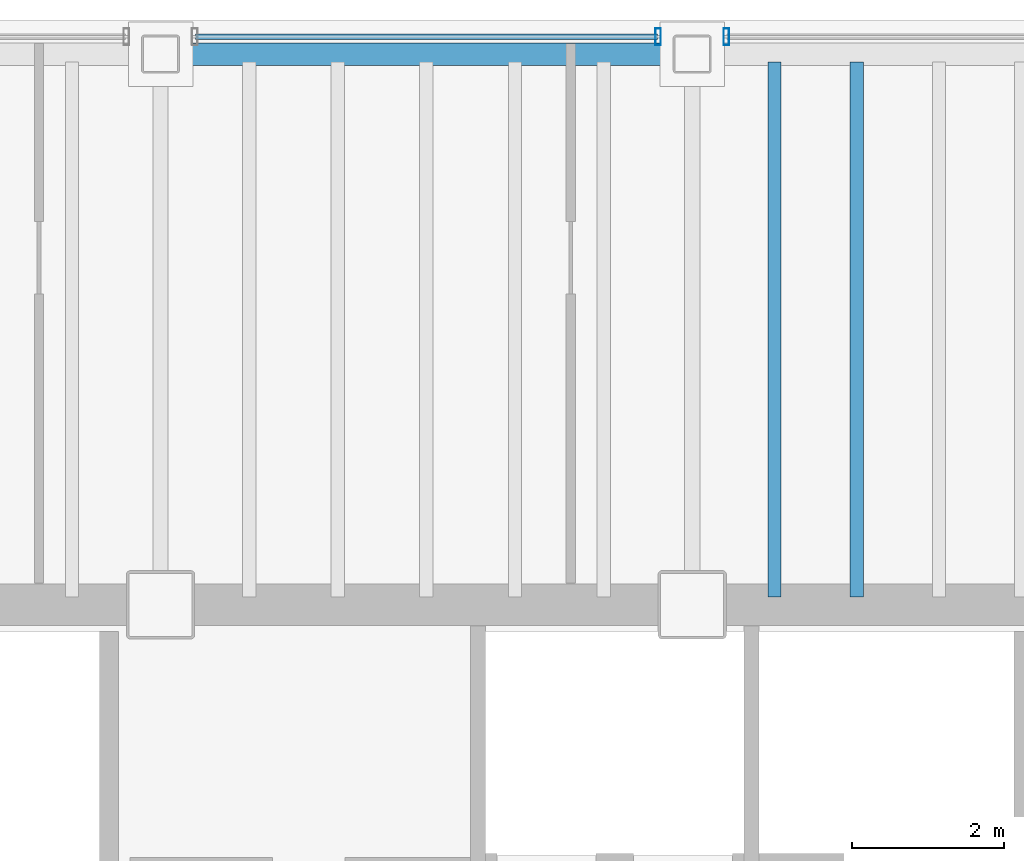
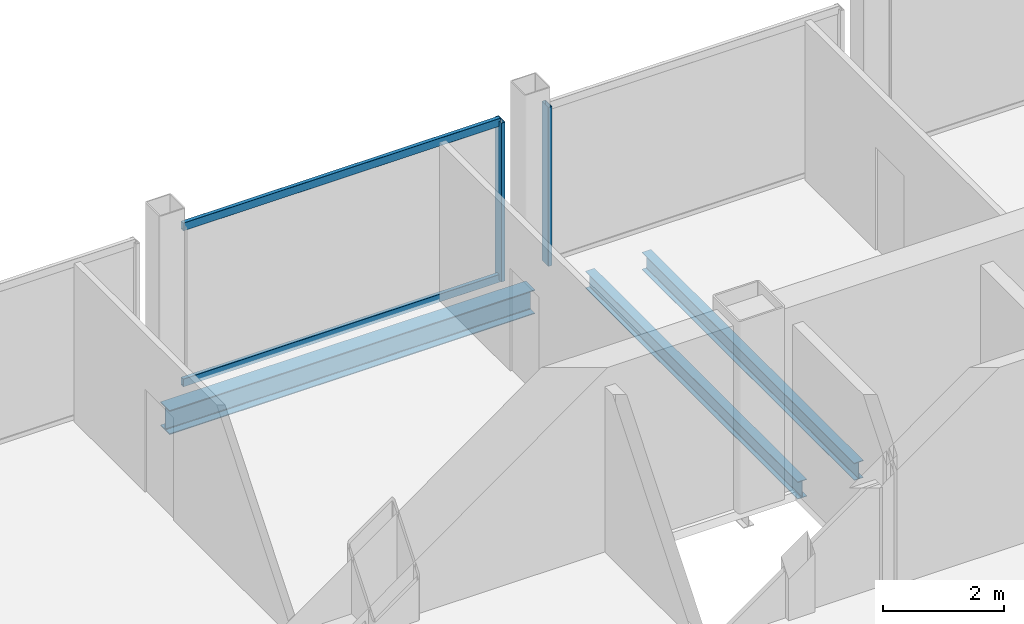
# One storey, part 10 of 19: 4 members, 3 beams, 2 elements without a shape of their own.
"""IFC4 building model written with IfcOpenShell, lengths in metres."""

from ifc_helpers import new_model, si_unit, direction, frame, origin, origin_2d, place, context, subcontext, project, spatial, hollow_rectangle, i_section, extrude, material, material_profile, profile_set, type_object, element, aggregate, save


model = new_model("IFC4")

# Units and contexts
model_context = context("Model", 3, precision=1e-05, world=origin(), true_north=direction((0.0, 1.0)))
body_context = subcontext(model_context, "Body", "Model", "MODEL_VIEW")
ifc_project = project(units=[si_unit("LENGTHUNIT", "METRE"), si_unit("AREAUNIT", "SQUARE_METRE"), si_unit("VOLUMEUNIT", "CUBIC_METRE"), si_unit("PLANEANGLEUNIT", "RADIAN"), si_unit("MASSUNIT", "GRAM", prefix="KILO")], contexts=[model_context])

# Site, building, storey
site_placement = place(None, origin())
site = spatial("IfcSite", under=ifc_project, at=site_placement, CompositionType="ELEMENT")
building_placement = place(site_placement, origin())
building = spatial("IfcBuilding", under=site, at=building_placement, Name="Noeulbin Bourse Tower", CompositionType="ELEMENT")
storey_placement = place(building_placement, frame((0.0, 0.0, 153.89990234375)))
storey = spatial("IfcBuildingStorey", under=building, at=storey_placement, Name="L38", CompositionType="ELEMENT", Elevation=153.89990234375)

# Beams
ifc_material_1 = material(Name="Steel S355", Category="steel")
ifc_material_profile_1 = material_profile(ifc_material_1, i_section(OverallWidth=0.175048828125, OverallDepth=0.35009765625, WebThickness=0.007080078125, FlangeThickness=0.010986328125, FilletRadius=0.013916015625, at=origin_2d()), Name="H-350x175x7x11", Category="LoadBearing")
ifc_profile_set_1 = profile_set([ifc_material_profile_1], Name="Steel S355")
beam_type_1 = type_object("IfcBeamType", Name="BM-JST-350", PredefinedType="JOIST", material=ifc_profile_set_1)
for number, where, z_axis, x_axis, name in (
    (1, (32.083251953125, 38.39990234375, -0.35498046875), (0.0, 1.0, 0.0), (-1.0, 0.0, 0.0), "Tower Composite Joist L38-42"),
    (2, (33.166748046875, 38.39990234375, -0.35498046875), (0.0, 1.0, 0.0), (-1.0, 0.0, 0.0), "Tower Composite Joist L38-45"),
):
    element("IfcBeam", number, at=place(storey_placement, frame(where, z_axis=z_axis, x_axis=x_axis)), inside=storey, type_object=beam_type_1, Name=name, PredefinedType="JOIST", context=body_context, shape_type="SweptSolid", body=[
        extrude(i_section(OverallWidth=0.175048828125, OverallDepth=0.35009765625, WebThickness=0.007080078125, FlangeThickness=0.010986328125, FilletRadius=0.013916015625, at=origin_2d()), origin(), (0.0, 0.0, 1.0), 7.050048828125),
    ])
ifc_material_profile_2 = material_profile(ifc_material_1, i_section(OverallWidth=0.300048828125, OverallDepth=0.488037109375, WebThickness=0.010986328125, FlangeThickness=0.01806640625, FilletRadius=0.02197265625, at=origin_2d()), Name="H-488x300x11x18", Category="LoadBearing")
ifc_profile_set_2 = profile_set([ifc_material_profile_2], Name="Steel S355")
beam_type_2 = type_object("IfcBeamType", Name="BM-SPN-488", PredefinedType="SPANDREL", material=ifc_profile_set_2)
beam_placement = place(storey_placement, frame((24.0, 45.550048828125, -0.423828125), z_axis=(1.0, 0.0, 0.0), x_axis=(0.0, 1.0, 0.0)))
element("IfcBeam", 3, at=beam_placement, inside=storey, type_object=beam_type_2, Name="North Spandrel L38-2", PredefinedType="SPANDREL", context=body_context, shape_type="SweptSolid", body=[
    extrude(i_section(OverallWidth=0.300048828125, OverallDepth=0.488037109375, WebThickness=0.010986328125, FlangeThickness=0.01806640625, FilletRadius=0.02197265625, at=origin_2d()), origin(), (0.0, 0.0, 1.0), 7.0),
])

# Curtain wall, member
ifc_material_2 = material(Name="Dark Tinted Triple Glazing", Category="glass")
curtain_wall_type = type_object("IfcCurtainWallType", Name="CW-SYS-3", PredefinedType="NOTDEFINED", material=ifc_material_2)
curtain_wall_1_placement = place(storey_placement, origin())
curtain_wall_1 = element("IfcCurtainWall", 4, at=curtain_wall_1_placement, inside=storey, type_object=curtain_wall_type, Name="Unitised Curtain Wall CW-L38-N-S3", PredefinedType="NOTDEFINED")
ifc_material_3 = material(Name="Anodised Aluminium 6063-T6", Category="aluminium")
ifc_material_profile_3 = material_profile(ifc_material_3, hollow_rectangle(XDim=0.074951171875, YDim=0.219970703125, WallThickness=0.0048828125, InnerFilletRadius=0.00244140625, OuterFilletRadius=0.0048828125, at=origin_2d()), Name="ALU-MULL-75x220x5", Category="LoadBearing")
ifc_profile_set_3 = profile_set([ifc_material_profile_3], Name="Anodised Aluminium 6063-T6")
member_type_1 = type_object("IfcMemberType", Name="CW-SYS-3-MUL", PredefinedType="MULLION", material=ifc_profile_set_3)
member_1_placement = place(storey_placement, frame((30.550048828125, 45.780029296875, -0.02001953125), z_axis=(0.0, 0.0, 1.0), x_axis=(1.0, 0.0, 0.0)))
member_1 = element("IfcMember", 5, at=member_1_placement, type_object=member_type_1, Name="Curtain Wall Mullion CW-L38-N-S3-M01", PredefinedType="MULLION", context=body_context, shape_type="SweptSolid", body=[
    extrude(hollow_rectangle(XDim=0.074951171875, YDim=0.219970703125, WallThickness=0.0048828125, InnerFilletRadius=0.00244140625, OuterFilletRadius=0.0048828125, at=origin_2d()), origin(), (0.0, 0.0, 1.0), 3.22021484375),
])

curtain_wall_2_placement = place(storey_placement, origin())
curtain_wall_2 = element("IfcCurtainWall", 6, at=curtain_wall_2_placement, inside=storey, type_object=curtain_wall_type, Name="Unitised Curtain Wall CW-L38-N-S4", PredefinedType="NOTDEFINED")
member_2_placement = place(storey_placement, frame((31.449951171875, 45.780029296875, -0.02001953125), z_axis=(0.0, 0.0, 1.0), x_axis=(1.0, 0.0, 0.0)))
member_2 = element("IfcMember", 7, at=member_2_placement, type_object=member_type_1, Name="Curtain Wall Mullion CW-L38-N-S4-M00", PredefinedType="MULLION", context=body_context, shape_type="SweptSolid", body=[
    extrude(hollow_rectangle(XDim=0.074951171875, YDim=0.219970703125, WallThickness=0.0048828125, InnerFilletRadius=0.00244140625, OuterFilletRadius=0.0048828125, at=origin_2d()), origin(), (0.0, 0.0, 1.0), 3.22021484375),
])
aggregate(curtain_wall_2, [member_2])

# Member
ifc_material_profile_4 = material_profile(ifc_material_3, hollow_rectangle(XDim=0.074951171875, YDim=0.159912109375, WallThickness=0.0048828125, InnerFilletRadius=0.00244140625, OuterFilletRadius=0.0048828125, at=origin_2d()), Name="ALU-TRAN-75x160x5", Category="LoadBearing")
ifc_profile_set_4 = profile_set([ifc_material_profile_4], Name="Anodised Aluminium 6063-T6")
member_type_2 = type_object("IfcMemberType", Name="CW-SYS-3-TRN", PredefinedType="USERDEFINED", material=ifc_profile_set_4)
member_3_placement = place(storey_placement, frame((24.4599609375, 45.780029296875, 0.010009765625), z_axis=(1.0, 0.0, 0.0), x_axis=(0.0, 1.0, 0.0)))
member_3 = element("IfcMember", 8, at=member_3_placement, type_object=member_type_2, Name="Curtain Wall Transom CW-L38-N-S3-T00", ObjectType="TRANSOM", PredefinedType="USERDEFINED", context=body_context, shape_type="SweptSolid", body=[
    extrude(hollow_rectangle(XDim=0.074951171875, YDim=0.159912109375, WallThickness=0.0048828125, InnerFilletRadius=0.00244140625, OuterFilletRadius=0.0048828125, at=origin_2d()), origin(), (0.0, 0.0, 1.0), 6.080078125),
])

member_4_placement = place(storey_placement, frame((24.4599609375, 45.780029296875, 3.170166015625), z_axis=(1.0, 0.0, 0.0), x_axis=(0.0, 1.0, 0.0)))
member_4 = element("IfcMember", 9, at=member_4_placement, type_object=member_type_2, Name="Curtain Wall Transom CW-L38-N-S3-T01", ObjectType="TRANSOM", PredefinedType="USERDEFINED", context=body_context, shape_type="SweptSolid", body=[
    extrude(hollow_rectangle(XDim=0.074951171875, YDim=0.159912109375, WallThickness=0.0048828125, InnerFilletRadius=0.00244140625, OuterFilletRadius=0.0048828125, at=origin_2d()), origin(), (0.0, 0.0, 1.0), 6.080078125),
])

aggregate(curtain_wall_1, [member_1, member_3, member_4])

save(model, "model.ifc")
